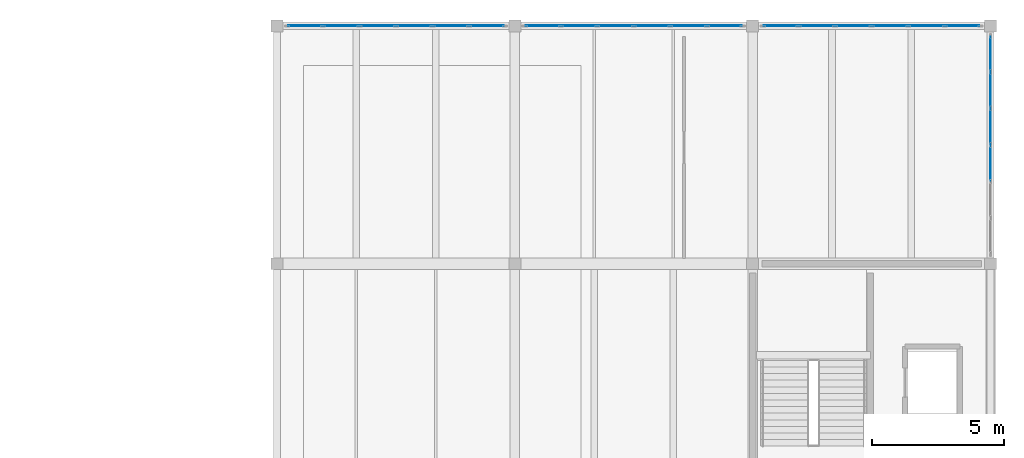
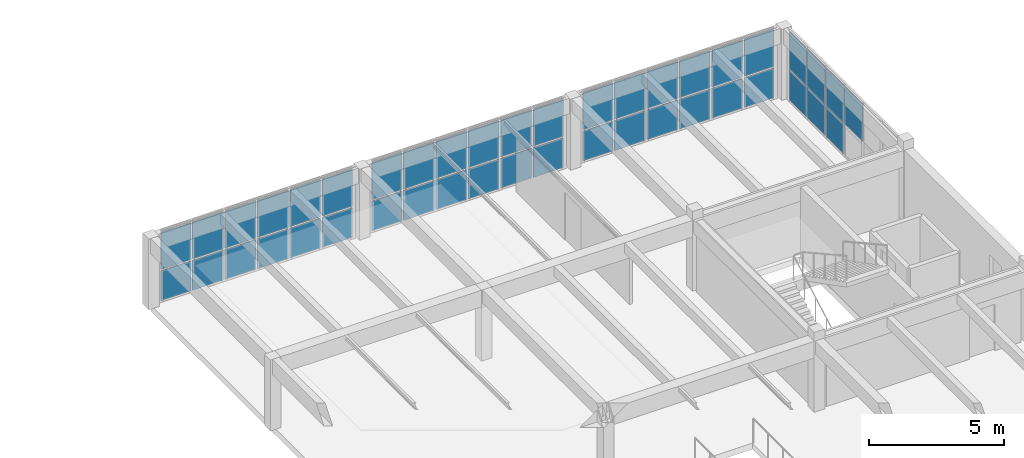
# One storey, part 64 of 80: 43 plates, 4 elements without a shape of their own.
"""IFC4 building model written with IfcOpenShell, lengths in metres."""

import ifcopenshell
import ifcopenshell.guid

model = None  # the IFC model being written
_history = None  # IfcOwnerHistory: only IFC2X3 demands one
_inside = {}  # id of a spatial element -> (the spatial element, [elements in it])
_under = {}  # id of a project, library or spatial element -> (it, [spatial elements below it])
_declared = {}  # id of a project -> (the project, [libraries it declares])
_typed = {}  # id of a type object -> (the type object, [elements of that type])
_made_of = {}  # id of a material, layer set ... -> (it, [elements and type objects made of it])


def new_model(schema):
    """Start an empty IFC model of exactly this schema.

    Asked for "IFC4X3", IfcOpenShell would pick the latest addendum, in which some entities
    have other attributes; the version numbers below select the first issue.
    IFC2X3 requires an IfcOwnerHistory on every rooted entity: one is made here for all.
    """
    global model, _history
    if schema == "IFC4X3":
        model = ifcopenshell.file(schema_version=(4, 3, 0, 0))
    else:
        model = ifcopenshell.file(schema=schema)
    _inside.clear()
    _under.clear()
    _declared.clear()
    _typed.clear()
    _made_of.clear()
    _history = None
    if model.schema == "IFC2X3":
        org = make("IfcOrganization", Name="unknown")
        user = make(
            "IfcPersonAndOrganization",
            ThePerson=make("IfcPerson", FamilyName="unknown"),
            TheOrganization=org,
        )
        app = make(
            "IfcApplication",
            ApplicationDeveloper=org,
            Version="unknown",
            ApplicationFullName="unknown",
            ApplicationIdentifier="unknown",
        )
        _history = make(
            "IfcOwnerHistory",
            OwningUser=user,
            OwningApplication=app,
            ChangeAction="ADDED",
            CreationDate=0,
        )
    return model


def make(cls, **values):
    """One entity of the class cls with the attributes given. An attribute that is None is left unset."""
    return model.create_entity(
        cls, **{name: value for name, value in values.items() if value is not None}
    )


def rooted(cls, **values):
    """An entity with a GlobalId (a new one), such as an element, a storey or a relation."""
    return make(cls, GlobalId=ifcopenshell.guid.new(), OwnerHistory=_history, **values)


def si_unit(unit_type, name, prefix=None):
    """IfcSIUnit, for example si_unit("LENGTHUNIT", "METRE", prefix="MILLI")."""
    return make("IfcSIUnit", UnitType=unit_type, Prefix=prefix, Name=name)


def assignment(units):
    """IfcUnitAssignment: the units of a project."""
    return None if units is None else make("IfcUnitAssignment", Units=units)


def point(xyz):
    """IfcCartesianPoint."""
    return None if xyz is None else make("IfcCartesianPoint", Coordinates=xyz)


def direction(xyz):
    """IfcDirection."""
    return None if xyz is None else make("IfcDirection", DirectionRatios=xyz)


def frame(location, z_axis=None, x_axis=None):
    """IfcAxis2Placement3D, a coordinate frame: its origin and axes. An axis left out is left unset."""
    return make(
        "IfcAxis2Placement3D",
        Location=point(location),
        Axis=direction(z_axis),
        RefDirection=direction(x_axis),
    )


def frame_2d(location, x_axis=None):
    """IfcAxis2Placement2D, a coordinate frame in the plane: its origin and x axis."""
    return make(
        "IfcAxis2Placement2D", Location=point(location), RefDirection=direction(x_axis)
    )


def origin():
    """The frame at (0, 0, 0) with its axes left unset."""
    return frame((0.0, 0.0, 0.0))


def origin_2d():
    """The frame at (0, 0) in the plane with its x axis left unset."""
    return frame_2d((0.0, 0.0))


def place(relative_to, where):
    """IfcLocalPlacement: puts the frame where relative to a parent placement (None: the world)."""
    return make(
        "IfcLocalPlacement", PlacementRelTo=relative_to, RelativePlacement=where
    )


def context(
    kind, dimensions, precision=None, world=None, true_north=None, identifier=None
):
    """IfcGeometricRepresentationContext, for example the 3D "Model" context."""
    return make(
        "IfcGeometricRepresentationContext",
        ContextIdentifier=identifier,
        ContextType=kind,
        CoordinateSpaceDimension=dimensions,
        Precision=precision,
        WorldCoordinateSystem=world,
        TrueNorth=true_north,
    )


def subcontext(parent, identifier, kind, view, scale=None):
    """IfcGeometricRepresentationSubContext, for example "Body" below "Model"."""
    return make(
        "IfcGeometricRepresentationSubContext",
        ContextIdentifier=identifier,
        ContextType=kind,
        ParentContext=parent,
        TargetScale=scale,
        TargetView=view,
    )


def project(units=None, contexts=None):
    """IfcProject with its units and contexts."""
    return rooted(
        "IfcProject",
        Name="project",
        RepresentationContexts=contexts,
        UnitsInContext=assignment(units),
    )


def spatial(cls, under=None, at=None, **own):
    """A site, building, storey or space (cls), placed at a placement, below another one or the project."""
    s = rooted(cls, ObjectPlacement=at, **own)
    if under is not None:
        _under.setdefault(under.id(), (under, []))[1].append(s)
    return s


def profile(cls, at=None, kind="AREA", **sizes):
    """A parametric profile (cls). Its sizes go by their IFC names, for example OverallWidth=200.0."""
    return make(cls, ProfileType=kind, Position=at, **sizes)


def rectangle(**sizes):
    """IfcRectangleProfileDef."""
    return profile("IfcRectangleProfileDef", **sizes)


def extrude(swept, where, along, depth):
    """IfcExtrudedAreaSolid: the profile swept, set in the frame where, extruded along a direction by depth."""
    return make(
        "IfcExtrudedAreaSolid",
        SweptArea=swept,
        Position=where,
        ExtrudedDirection=direction(along),
        Depth=depth,
    )


def shape(context_of_items, identifier, shape_type, items):
    """IfcShapeRepresentation: the items that make up one representation, for example the "Body"."""
    return make(
        "IfcShapeRepresentation",
        ContextOfItems=context_of_items,
        RepresentationIdentifier=identifier,
        RepresentationType=shape_type,
        Items=items,
    )


def material(Name=None, Category=None):
    """IfcMaterial."""
    return make("IfcMaterial", Name=Name, Category=Category)


def layer(
    of_material, thickness, ventilated=None, Name=None, Category=None, Priority=None
):
    """IfcMaterialLayer: one layer of a wall or slab, of a material (None: an air gap)."""
    return make(
        "IfcMaterialLayer",
        Material=of_material,
        LayerThickness=thickness,
        IsVentilated=ventilated,
        Name=Name,
        Category=Category,
        Priority=Priority,
    )


def layer_set(layers, Name=None):
    """IfcMaterialLayerSet."""
    return make("IfcMaterialLayerSet", MaterialLayers=layers, LayerSetName=Name)


def made_of(thing, what):
    """Note that an element or type object is made of a material, layer set ...; save() writes the relation."""
    if what is not None:
        _made_of.setdefault(what.id(), (what, []))[1].append(thing)
    return thing


def type_object(cls, material=None, **own):
    """A type object (cls), such as IfcWallType, which elements share."""
    return made_of(rooted(cls, **own), material)


def element(
    cls,
    number,
    at=None,
    inside=None,
    cuts=None,
    type_object=None,
    material=None,
    context=None,
    identifier="Body",
    shape_type=None,
    held_by="IfcProductDefinitionShape",
    body=None,
    shapes=None,
    **own,
):
    """One element of the class cls, such as IfcWall. Its Tag is "e" and its number.

    at: its placement. inside: the storey or other place that contains it. cuts: it is an
    opening in that element (IfcRelVoidsElement). A single representation is given by context,
    identifier, shape_type and body (its items); several are given by shapes. held_by: the class
    of the entity that holds the representations. save() writes the other relations.
    """
    e = rooted(cls, Tag="e%d" % number, ObjectPlacement=at, **own)
    if body is not None:
        shapes = [shape(context, identifier, shape_type, body)]
    if shapes is not None:
        e.Representation = make(held_by, Representations=shapes)
    if inside is not None:
        _inside.setdefault(inside.id(), (inside, []))[1].append(e)
    if cuts is not None:
        rooted(
            "IfcRelVoidsElement", RelatingBuildingElement=cuts, RelatedOpeningElement=e
        )
    if type_object is not None:
        _typed.setdefault(type_object.id(), (type_object, []))[1].append(e)
    return made_of(e, material)


def aggregate(whole, parts):
    """IfcRelAggregates: a whole, such as a stair, and the parts it consists of."""
    return rooted("IfcRelAggregates", RelatingObject=whole, RelatedObjects=parts)


def save(model, path):
    """Write the relations noted so far, then the file.

    IfcRelAggregates (storeys below a building ...), IfcRelContainedInSpatialStructure (elements
    in a storey), IfcRelDefinesByType, IfcRelAssociatesMaterial and IfcRelDeclares: one each for
    every whole, place, type object, material and project.
    """
    for whole, parts in _under.values():
        aggregate(whole, parts)
    for where, things in _inside.values():
        rooted(
            "IfcRelContainedInSpatialStructure",
            RelatedElements=things,
            RelatingStructure=where,
        )
    for kind, things in _typed.values():
        rooted("IfcRelDefinesByType", RelatedObjects=things, RelatingType=kind)
    for what, things in _made_of.values():
        rooted("IfcRelAssociatesMaterial", RelatedObjects=things, RelatingMaterial=what)
    for by, libraries in _declared.values():
        rooted("IfcRelDeclares", RelatingContext=by, RelatedDefinitions=libraries)
    model.write(path)


model = new_model("IFC4")

# Units and contexts
model_context = context("Model", 3, precision=1e-05, world=origin(), true_north=direction((0.0, 1.0)))
body_context = subcontext(model_context, "Body", "Model", "MODEL_VIEW")
ifc_project = project(units=[si_unit("LENGTHUNIT", "METRE"), si_unit("AREAUNIT", "SQUARE_METRE"), si_unit("VOLUMEUNIT", "CUBIC_METRE"), si_unit("PLANEANGLEUNIT", "RADIAN"), si_unit("MASSUNIT", "GRAM", prefix="KILO")], contexts=[model_context])

# Site, building, storey
site_placement = place(None, origin())
site = spatial("IfcSite", under=ifc_project, at=site_placement, CompositionType="ELEMENT")
building_placement = place(site_placement, origin())
building = spatial("IfcBuilding", under=site, at=building_placement, Name="Ornek Quay Market", CompositionType="ELEMENT")
storey_placement = place(building_placement, frame((0.0, 0.0, 8.39990234375)))
storey = spatial("IfcBuildingStorey", under=building, at=storey_placement, Name="L02", CompositionType="ELEMENT", Elevation=8.39990234375)

# Curtain wall, plates
ifc_material_1 = material(Name="Anodised bronze aluminium and triple low-e glass", Category="aluminium")
ifc_layer_1 = layer(ifc_material_1, 0.18994140625, Name="Anodised bronze aluminium and triple low-e glass", Category="aluminium")
ifc_layer_set_1 = layer_set([ifc_layer_1], Name="Anodised bronze aluminium and triple low-e glass")
curtain_wall_type = type_object("IfcCurtainWallType", Name="CW-FC-MOD1500", PredefinedType="USERDEFINED", material=ifc_layer_set_1)
curtain_wall_1_placement = place(storey_placement, origin())
curtain_wall_1 = element("IfcCurtainWall", 1, at=curtain_wall_1_placement, inside=storey, type_object=curtain_wall_type, Name="Curtain wall CW-088", ObjectType="CURTAIN WALL", PredefinedType="USERDEFINED")
ifc_material_2 = material(Name="Triple insulated low-e glass", Category="glass")
ifc_layer_2 = layer(ifc_material_2, 0.035888671875, Name="Triple insulated low-e glass", Category="glass")
ifc_layer_set_2 = layer_set([ifc_layer_2], Name="Triple insulated low-e glass")
plate_type = type_object("IfcPlateType", Name="PL-CW-TRIPLE-36", PredefinedType="CURTAIN_PANEL", material=ifc_layer_set_2)
plate_1_placement = place(storey_placement, frame((154.05908203125, 110.0, 0.06494140625), z_axis=(0.0, 0.0, 1.0), x_axis=(1.0, 0.0, 0.0)))
plate_1 = element("IfcPlate", 2, at=plate_1_placement, type_object=plate_type, Name="CW-088 panel 1.1", PredefinedType="CURTAIN_PANEL", context=body_context, shape_type="SweptSolid", body=[
    extrude(rectangle(XDim=1.2783203125, YDim=0.035888671875, at=origin_2d()), origin(), (0.0, 0.0, 1.0), 1.342529296875),
])
plate_2_placement = place(storey_placement, frame((154.05908203125, 110.0, 1.47265625), z_axis=(0.0, 0.0, 1.0), x_axis=(1.0, 0.0, 0.0)))
plate_2 = element("IfcPlate", 3, at=plate_2_placement, type_object=plate_type, Name="CW-088 panel 1.2", PredefinedType="CURTAIN_PANEL", context=body_context, shape_type="SweptSolid", body=[
    extrude(rectangle(XDim=1.2783203125, YDim=0.035888671875, at=origin_2d()), origin(), (0.0, 0.0, 1.0), 1.66259765625),
])
plate_3_placement = place(storey_placement, frame((155.425048828125, 110.0, 0.06494140625), z_axis=(0.0, 0.0, 1.0), x_axis=(1.0, 0.0, 0.0)))
plate_3 = element("IfcPlate", 4, at=plate_3_placement, type_object=plate_type, Name="CW-088 panel 2.1", PredefinedType="CURTAIN_PANEL", context=body_context, shape_type="SweptSolid", body=[
    extrude(rectangle(XDim=1.313232421875, YDim=0.035888671875, at=origin_2d()), origin(), (0.0, 0.0, 1.0), 1.342529296875),
])
plate_4_placement = place(storey_placement, frame((155.425048828125, 110.0, 1.47265625), z_axis=(0.0, 0.0, 1.0), x_axis=(1.0, 0.0, 0.0)))
plate_4 = element("IfcPlate", 5, at=plate_4_placement, type_object=plate_type, Name="CW-088 panel 2.2", PredefinedType="CURTAIN_PANEL", context=body_context, shape_type="SweptSolid", body=[
    extrude(rectangle(XDim=1.313232421875, YDim=0.035888671875, at=origin_2d()), origin(), (0.0, 0.0, 1.0), 1.66259765625),
])
plate_5_placement = place(storey_placement, frame((156.808349609375, 110.0, 0.06494140625), z_axis=(0.0, 0.0, 1.0), x_axis=(1.0, 0.0, 0.0)))
plate_5 = element("IfcPlate", 6, at=plate_5_placement, type_object=plate_type, Name="CW-088 panel 3.1", PredefinedType="CURTAIN_PANEL", context=body_context, shape_type="SweptSolid", body=[
    extrude(rectangle(XDim=1.313232421875, YDim=0.035888671875, at=origin_2d()), origin(), (0.0, 0.0, 1.0), 1.342529296875),
])
plate_6_placement = place(storey_placement, frame((156.808349609375, 110.0, 1.47265625), z_axis=(0.0, 0.0, 1.0), x_axis=(1.0, 0.0, 0.0)))
plate_6 = element("IfcPlate", 7, at=plate_6_placement, type_object=plate_type, Name="CW-088 panel 3.2", PredefinedType="CURTAIN_PANEL", context=body_context, shape_type="SweptSolid", body=[
    extrude(rectangle(XDim=1.313232421875, YDim=0.035888671875, at=origin_2d()), origin(), (0.0, 0.0, 1.0), 1.66259765625),
])
plate_7_placement = place(storey_placement, frame((158.191650390625, 110.0, 0.06494140625), z_axis=(0.0, 0.0, 1.0), x_axis=(1.0, 0.0, 0.0)))
plate_7 = element("IfcPlate", 8, at=plate_7_placement, type_object=plate_type, Name="CW-088 panel 4.1", PredefinedType="CURTAIN_PANEL", context=body_context, shape_type="SweptSolid", body=[
    extrude(rectangle(XDim=1.313232421875, YDim=0.035888671875, at=origin_2d()), origin(), (0.0, 0.0, 1.0), 1.342529296875),
])
plate_8_placement = place(storey_placement, frame((158.191650390625, 110.0, 1.47265625), z_axis=(0.0, 0.0, 1.0), x_axis=(1.0, 0.0, 0.0)))
plate_8 = element("IfcPlate", 9, at=plate_8_placement, type_object=plate_type, Name="CW-088 panel 4.2", PredefinedType="CURTAIN_PANEL", context=body_context, shape_type="SweptSolid", body=[
    extrude(rectangle(XDim=1.313232421875, YDim=0.035888671875, at=origin_2d()), origin(), (0.0, 0.0, 1.0), 1.66259765625),
])
plate_9_placement = place(storey_placement, frame((159.574951171875, 110.0, 0.06494140625), z_axis=(0.0, 0.0, 1.0), x_axis=(1.0, 0.0, 0.0)))
plate_9 = element("IfcPlate", 10, at=plate_9_placement, type_object=plate_type, Name="CW-088 panel 5.1", PredefinedType="CURTAIN_PANEL", context=body_context, shape_type="SweptSolid", body=[
    extrude(rectangle(XDim=1.313232421875, YDim=0.035888671875, at=origin_2d()), origin(), (0.0, 0.0, 1.0), 1.342529296875),
])
plate_10_placement = place(storey_placement, frame((159.574951171875, 110.0, 1.47265625), z_axis=(0.0, 0.0, 1.0), x_axis=(1.0, 0.0, 0.0)))
plate_10 = element("IfcPlate", 11, at=plate_10_placement, type_object=plate_type, Name="CW-088 panel 5.2", PredefinedType="CURTAIN_PANEL", context=body_context, shape_type="SweptSolid", body=[
    extrude(rectangle(XDim=1.313232421875, YDim=0.035888671875, at=origin_2d()), origin(), (0.0, 0.0, 1.0), 1.66259765625),
])
plate_11_placement = place(storey_placement, frame((160.94091796875, 110.0, 0.06494140625), z_axis=(0.0, 0.0, 1.0), x_axis=(1.0, 0.0, 0.0)))
plate_11 = element("IfcPlate", 12, at=plate_11_placement, type_object=plate_type, Name="CW-088 panel 6.1", PredefinedType="CURTAIN_PANEL", context=body_context, shape_type="SweptSolid", body=[
    extrude(rectangle(XDim=1.2783203125, YDim=0.035888671875, at=origin_2d()), origin(), (0.0, 0.0, 1.0), 1.342529296875),
])
plate_12_placement = place(storey_placement, frame((160.94091796875, 110.0, 1.47265625), z_axis=(0.0, 0.0, 1.0), x_axis=(1.0, 0.0, 0.0)))
plate_12 = element("IfcPlate", 13, at=plate_12_placement, type_object=plate_type, Name="CW-088 panel 6.2", PredefinedType="CURTAIN_PANEL", context=body_context, shape_type="SweptSolid", body=[
    extrude(rectangle(XDim=1.2783203125, YDim=0.035888671875, at=origin_2d()), origin(), (0.0, 0.0, 1.0), 1.66259765625),
])
aggregate(curtain_wall_1, [plate_1, plate_2, plate_3, plate_4, plate_5, plate_6, plate_7, plate_8, plate_9, plate_10, plate_11, plate_12])

curtain_wall_2_placement = place(storey_placement, origin())
curtain_wall_2 = element("IfcCurtainWall", 14, at=curtain_wall_2_placement, inside=storey, type_object=curtain_wall_type, Name="Curtain wall CW-089", ObjectType="CURTAIN WALL", PredefinedType="USERDEFINED")
plate_13_placement = place(storey_placement, frame((163.05908203125, 110.0, 0.06494140625), z_axis=(0.0, 0.0, 1.0), x_axis=(1.0, 0.0, 0.0)))
plate_13 = element("IfcPlate", 15, at=plate_13_placement, type_object=plate_type, Name="CW-089 panel 1.1", PredefinedType="CURTAIN_PANEL", context=body_context, shape_type="SweptSolid", body=[
    extrude(rectangle(XDim=1.2783203125, YDim=0.035888671875, at=origin_2d()), origin(), (0.0, 0.0, 1.0), 1.342529296875),
])
plate_14_placement = place(storey_placement, frame((163.05908203125, 110.0, 1.47265625), z_axis=(0.0, 0.0, 1.0), x_axis=(1.0, 0.0, 0.0)))
plate_14 = element("IfcPlate", 16, at=plate_14_placement, type_object=plate_type, Name="CW-089 panel 1.2", PredefinedType="CURTAIN_PANEL", context=body_context, shape_type="SweptSolid", body=[
    extrude(rectangle(XDim=1.2783203125, YDim=0.035888671875, at=origin_2d()), origin(), (0.0, 0.0, 1.0), 1.66259765625),
])
plate_15_placement = place(storey_placement, frame((164.425048828125, 110.0, 0.06494140625), z_axis=(0.0, 0.0, 1.0), x_axis=(1.0, 0.0, 0.0)))
plate_15 = element("IfcPlate", 17, at=plate_15_placement, type_object=plate_type, Name="CW-089 panel 2.1", PredefinedType="CURTAIN_PANEL", context=body_context, shape_type="SweptSolid", body=[
    extrude(rectangle(XDim=1.313232421875, YDim=0.035888671875, at=origin_2d()), origin(), (0.0, 0.0, 1.0), 1.342529296875),
])
plate_16_placement = place(storey_placement, frame((164.425048828125, 110.0, 1.47265625), z_axis=(0.0, 0.0, 1.0), x_axis=(1.0, 0.0, 0.0)))
plate_16 = element("IfcPlate", 18, at=plate_16_placement, type_object=plate_type, Name="CW-089 panel 2.2", PredefinedType="CURTAIN_PANEL", context=body_context, shape_type="SweptSolid", body=[
    extrude(rectangle(XDim=1.313232421875, YDim=0.035888671875, at=origin_2d()), origin(), (0.0, 0.0, 1.0), 1.66259765625),
])
plate_17_placement = place(storey_placement, frame((165.808349609375, 110.0, 0.06494140625), z_axis=(0.0, 0.0, 1.0), x_axis=(1.0, 0.0, 0.0)))
plate_17 = element("IfcPlate", 19, at=plate_17_placement, type_object=plate_type, Name="CW-089 panel 3.1", PredefinedType="CURTAIN_PANEL", context=body_context, shape_type="SweptSolid", body=[
    extrude(rectangle(XDim=1.313232421875, YDim=0.035888671875, at=origin_2d()), origin(), (0.0, 0.0, 1.0), 1.342529296875),
])
plate_18_placement = place(storey_placement, frame((165.808349609375, 110.0, 1.47265625), z_axis=(0.0, 0.0, 1.0), x_axis=(1.0, 0.0, 0.0)))
plate_18 = element("IfcPlate", 20, at=plate_18_placement, type_object=plate_type, Name="CW-089 panel 3.2", PredefinedType="CURTAIN_PANEL", context=body_context, shape_type="SweptSolid", body=[
    extrude(rectangle(XDim=1.313232421875, YDim=0.035888671875, at=origin_2d()), origin(), (0.0, 0.0, 1.0), 1.66259765625),
])
plate_19_placement = place(storey_placement, frame((167.191650390625, 110.0, 0.06494140625), z_axis=(0.0, 0.0, 1.0), x_axis=(1.0, 0.0, 0.0)))
plate_19 = element("IfcPlate", 21, at=plate_19_placement, type_object=plate_type, Name="CW-089 panel 4.1", PredefinedType="CURTAIN_PANEL", context=body_context, shape_type="SweptSolid", body=[
    extrude(rectangle(XDim=1.313232421875, YDim=0.035888671875, at=origin_2d()), origin(), (0.0, 0.0, 1.0), 1.342529296875),
])
plate_20_placement = place(storey_placement, frame((167.191650390625, 110.0, 1.47265625), z_axis=(0.0, 0.0, 1.0), x_axis=(1.0, 0.0, 0.0)))
plate_20 = element("IfcPlate", 22, at=plate_20_placement, type_object=plate_type, Name="CW-089 panel 4.2", PredefinedType="CURTAIN_PANEL", context=body_context, shape_type="SweptSolid", body=[
    extrude(rectangle(XDim=1.313232421875, YDim=0.035888671875, at=origin_2d()), origin(), (0.0, 0.0, 1.0), 1.66259765625),
])
plate_21_placement = place(storey_placement, frame((168.574951171875, 110.0, 0.06494140625), z_axis=(0.0, 0.0, 1.0), x_axis=(1.0, 0.0, 0.0)))
plate_21 = element("IfcPlate", 23, at=plate_21_placement, type_object=plate_type, Name="CW-089 panel 5.1", PredefinedType="CURTAIN_PANEL", context=body_context, shape_type="SweptSolid", body=[
    extrude(rectangle(XDim=1.313232421875, YDim=0.035888671875, at=origin_2d()), origin(), (0.0, 0.0, 1.0), 1.342529296875),
])
plate_22_placement = place(storey_placement, frame((168.574951171875, 110.0, 1.47265625), z_axis=(0.0, 0.0, 1.0), x_axis=(1.0, 0.0, 0.0)))
plate_22 = element("IfcPlate", 24, at=plate_22_placement, type_object=plate_type, Name="CW-089 panel 5.2", PredefinedType="CURTAIN_PANEL", context=body_context, shape_type="SweptSolid", body=[
    extrude(rectangle(XDim=1.313232421875, YDim=0.035888671875, at=origin_2d()), origin(), (0.0, 0.0, 1.0), 1.66259765625),
])
plate_23_placement = place(storey_placement, frame((169.94091796875, 110.0, 0.06494140625), z_axis=(0.0, 0.0, 1.0), x_axis=(1.0, 0.0, 0.0)))
plate_23 = element("IfcPlate", 25, at=plate_23_placement, type_object=plate_type, Name="CW-089 panel 6.1", PredefinedType="CURTAIN_PANEL", context=body_context, shape_type="SweptSolid", body=[
    extrude(rectangle(XDim=1.2783203125, YDim=0.035888671875, at=origin_2d()), origin(), (0.0, 0.0, 1.0), 1.342529296875),
])
plate_24_placement = place(storey_placement, frame((169.94091796875, 110.0, 1.47265625), z_axis=(0.0, 0.0, 1.0), x_axis=(1.0, 0.0, 0.0)))
plate_24 = element("IfcPlate", 26, at=plate_24_placement, type_object=plate_type, Name="CW-089 panel 6.2", PredefinedType="CURTAIN_PANEL", context=body_context, shape_type="SweptSolid", body=[
    extrude(rectangle(XDim=1.2783203125, YDim=0.035888671875, at=origin_2d()), origin(), (0.0, 0.0, 1.0), 1.66259765625),
])
aggregate(curtain_wall_2, [plate_13, plate_14, plate_15, plate_16, plate_17, plate_18, plate_19, plate_20, plate_21, plate_22, plate_23, plate_24])

curtain_wall_3_placement = place(storey_placement, origin())
curtain_wall_3 = element("IfcCurtainWall", 27, at=curtain_wall_3_placement, inside=storey, type_object=curtain_wall_type, Name="Curtain wall CW-090", ObjectType="CURTAIN WALL", PredefinedType="USERDEFINED")
plate_25_placement = place(storey_placement, frame((172.05908203125, 110.0, 0.06494140625), z_axis=(0.0, 0.0, 1.0), x_axis=(1.0, 0.0, 0.0)))
plate_25 = element("IfcPlate", 28, at=plate_25_placement, type_object=plate_type, Name="CW-090 panel 1.1", PredefinedType="CURTAIN_PANEL", context=body_context, shape_type="SweptSolid", body=[
    extrude(rectangle(XDim=1.2783203125, YDim=0.035888671875, at=origin_2d()), origin(), (0.0, 0.0, 1.0), 1.342529296875),
])
plate_26_placement = place(storey_placement, frame((172.05908203125, 110.0, 1.47265625), z_axis=(0.0, 0.0, 1.0), x_axis=(1.0, 0.0, 0.0)))
plate_26 = element("IfcPlate", 29, at=plate_26_placement, type_object=plate_type, Name="CW-090 panel 1.2", PredefinedType="CURTAIN_PANEL", context=body_context, shape_type="SweptSolid", body=[
    extrude(rectangle(XDim=1.2783203125, YDim=0.035888671875, at=origin_2d()), origin(), (0.0, 0.0, 1.0), 1.66259765625),
])
plate_27_placement = place(storey_placement, frame((173.425048828125, 110.0, 0.06494140625), z_axis=(0.0, 0.0, 1.0), x_axis=(1.0, 0.0, 0.0)))
plate_27 = element("IfcPlate", 30, at=plate_27_placement, type_object=plate_type, Name="CW-090 panel 2.1", PredefinedType="CURTAIN_PANEL", context=body_context, shape_type="SweptSolid", body=[
    extrude(rectangle(XDim=1.313232421875, YDim=0.035888671875, at=origin_2d()), origin(), (0.0, 0.0, 1.0), 1.342529296875),
])
plate_28_placement = place(storey_placement, frame((173.425048828125, 110.0, 1.47265625), z_axis=(0.0, 0.0, 1.0), x_axis=(1.0, 0.0, 0.0)))
plate_28 = element("IfcPlate", 31, at=plate_28_placement, type_object=plate_type, Name="CW-090 panel 2.2", PredefinedType="CURTAIN_PANEL", context=body_context, shape_type="SweptSolid", body=[
    extrude(rectangle(XDim=1.313232421875, YDim=0.035888671875, at=origin_2d()), origin(), (0.0, 0.0, 1.0), 1.66259765625),
])
plate_29_placement = place(storey_placement, frame((174.808349609375, 110.0, 0.06494140625), z_axis=(0.0, 0.0, 1.0), x_axis=(1.0, 0.0, 0.0)))
plate_29 = element("IfcPlate", 32, at=plate_29_placement, type_object=plate_type, Name="CW-090 panel 3.1", PredefinedType="CURTAIN_PANEL", context=body_context, shape_type="SweptSolid", body=[
    extrude(rectangle(XDim=1.313232421875, YDim=0.035888671875, at=origin_2d()), origin(), (0.0, 0.0, 1.0), 1.342529296875),
])
plate_30_placement = place(storey_placement, frame((174.808349609375, 110.0, 1.47265625), z_axis=(0.0, 0.0, 1.0), x_axis=(1.0, 0.0, 0.0)))
plate_30 = element("IfcPlate", 33, at=plate_30_placement, type_object=plate_type, Name="CW-090 panel 3.2", PredefinedType="CURTAIN_PANEL", context=body_context, shape_type="SweptSolid", body=[
    extrude(rectangle(XDim=1.313232421875, YDim=0.035888671875, at=origin_2d()), origin(), (0.0, 0.0, 1.0), 1.66259765625),
])
plate_31_placement = place(storey_placement, frame((176.191650390625, 110.0, 0.06494140625), z_axis=(0.0, 0.0, 1.0), x_axis=(1.0, 0.0, 0.0)))
plate_31 = element("IfcPlate", 34, at=plate_31_placement, type_object=plate_type, Name="CW-090 panel 4.1", PredefinedType="CURTAIN_PANEL", context=body_context, shape_type="SweptSolid", body=[
    extrude(rectangle(XDim=1.313232421875, YDim=0.035888671875, at=origin_2d()), origin(), (0.0, 0.0, 1.0), 1.342529296875),
])
plate_32_placement = place(storey_placement, frame((176.191650390625, 110.0, 1.47265625), z_axis=(0.0, 0.0, 1.0), x_axis=(1.0, 0.0, 0.0)))
plate_32 = element("IfcPlate", 35, at=plate_32_placement, type_object=plate_type, Name="CW-090 panel 4.2", PredefinedType="CURTAIN_PANEL", context=body_context, shape_type="SweptSolid", body=[
    extrude(rectangle(XDim=1.313232421875, YDim=0.035888671875, at=origin_2d()), origin(), (0.0, 0.0, 1.0), 1.66259765625),
])
plate_33_placement = place(storey_placement, frame((177.574951171875, 110.0, 0.06494140625), z_axis=(0.0, 0.0, 1.0), x_axis=(1.0, 0.0, 0.0)))
plate_33 = element("IfcPlate", 36, at=plate_33_placement, type_object=plate_type, Name="CW-090 panel 5.1", PredefinedType="CURTAIN_PANEL", context=body_context, shape_type="SweptSolid", body=[
    extrude(rectangle(XDim=1.313232421875, YDim=0.035888671875, at=origin_2d()), origin(), (0.0, 0.0, 1.0), 1.342529296875),
])
plate_34_placement = place(storey_placement, frame((177.574951171875, 110.0, 1.47265625), z_axis=(0.0, 0.0, 1.0), x_axis=(1.0, 0.0, 0.0)))
plate_34 = element("IfcPlate", 37, at=plate_34_placement, type_object=plate_type, Name="CW-090 panel 5.2", PredefinedType="CURTAIN_PANEL", context=body_context, shape_type="SweptSolid", body=[
    extrude(rectangle(XDim=1.313232421875, YDim=0.035888671875, at=origin_2d()), origin(), (0.0, 0.0, 1.0), 1.66259765625),
])
plate_35_placement = place(storey_placement, frame((178.94091796875, 110.0, 0.06494140625), z_axis=(0.0, 0.0, 1.0), x_axis=(1.0, 0.0, 0.0)))
plate_35 = element("IfcPlate", 38, at=plate_35_placement, type_object=plate_type, Name="CW-090 panel 6.1", PredefinedType="CURTAIN_PANEL", context=body_context, shape_type="SweptSolid", body=[
    extrude(rectangle(XDim=1.2783203125, YDim=0.035888671875, at=origin_2d()), origin(), (0.0, 0.0, 1.0), 1.342529296875),
])
plate_36_placement = place(storey_placement, frame((178.94091796875, 110.0, 1.47265625), z_axis=(0.0, 0.0, 1.0), x_axis=(1.0, 0.0, 0.0)))
plate_36 = element("IfcPlate", 39, at=plate_36_placement, type_object=plate_type, Name="CW-090 panel 6.2", PredefinedType="CURTAIN_PANEL", context=body_context, shape_type="SweptSolid", body=[
    extrude(rectangle(XDim=1.2783203125, YDim=0.035888671875, at=origin_2d()), origin(), (0.0, 0.0, 1.0), 1.66259765625),
])
aggregate(curtain_wall_3, [plate_25, plate_26, plate_27, plate_28, plate_29, plate_30, plate_31, plate_32, plate_33, plate_34, plate_35, plate_36])

curtain_wall_4_placement = place(storey_placement, origin())
curtain_wall_4 = element("IfcCurtainWall", 40, at=curtain_wall_4_placement, inside=storey, type_object=curtain_wall_type, Name="Curtain wall CW-092", ObjectType="CURTAIN WALL", PredefinedType="USERDEFINED")
plate_37_placement = place(storey_placement, frame((180.0, 104.808349609375, 1.47265625), z_axis=(0.0, 0.0, 1.0), x_axis=(0.0, 1.0, 0.0)))
plate_37 = element("IfcPlate", 41, at=plate_37_placement, type_object=plate_type, Name="CW-092 panel 3.2", PredefinedType="CURTAIN_PANEL", context=body_context, shape_type="SweptSolid", body=[
    extrude(rectangle(XDim=1.318359375, YDim=0.035888671875, at=origin_2d()), origin(), (0.0, 0.0, 1.0), 1.66259765625),
])
plate_38_placement = place(storey_placement, frame((180.0, 106.191650390625, 0.06494140625), z_axis=(0.0, 0.0, 1.0), x_axis=(0.0, 1.0, 0.0)))
plate_38 = element("IfcPlate", 42, at=plate_38_placement, type_object=plate_type, Name="CW-092 panel 4.1", PredefinedType="CURTAIN_PANEL", context=body_context, shape_type="SweptSolid", body=[
    extrude(rectangle(XDim=1.318359375, YDim=0.035888671875, at=origin_2d()), origin(), (0.0, 0.0, 1.0), 1.342529296875),
])
plate_39_placement = place(storey_placement, frame((180.0, 106.191650390625, 1.47265625), z_axis=(0.0, 0.0, 1.0), x_axis=(0.0, 1.0, 0.0)))
plate_39 = element("IfcPlate", 43, at=plate_39_placement, type_object=plate_type, Name="CW-092 panel 4.2", PredefinedType="CURTAIN_PANEL", context=body_context, shape_type="SweptSolid", body=[
    extrude(rectangle(XDim=1.318359375, YDim=0.035888671875, at=origin_2d()), origin(), (0.0, 0.0, 1.0), 1.66259765625),
])
plate_40_placement = place(storey_placement, frame((180.0, 107.574951171875, 0.06494140625), z_axis=(0.0, 0.0, 1.0), x_axis=(0.0, 1.0, 0.0)))
plate_40 = element("IfcPlate", 44, at=plate_40_placement, type_object=plate_type, Name="CW-092 panel 5.1", PredefinedType="CURTAIN_PANEL", context=body_context, shape_type="SweptSolid", body=[
    extrude(rectangle(XDim=1.318359375, YDim=0.035888671875, at=origin_2d()), origin(), (0.0, 0.0, 1.0), 1.342529296875),
])
plate_41_placement = place(storey_placement, frame((180.0, 107.574951171875, 1.47265625), z_axis=(0.0, 0.0, 1.0), x_axis=(0.0, 1.0, 0.0)))
plate_41 = element("IfcPlate", 45, at=plate_41_placement, type_object=plate_type, Name="CW-092 panel 5.2", PredefinedType="CURTAIN_PANEL", context=body_context, shape_type="SweptSolid", body=[
    extrude(rectangle(XDim=1.318359375, YDim=0.035888671875, at=origin_2d()), origin(), (0.0, 0.0, 1.0), 1.66259765625),
])
plate_42_placement = place(storey_placement, frame((180.0, 108.942138671875, 0.06494140625), z_axis=(0.0, 0.0, 1.0), x_axis=(0.0, 1.0, 0.0)))
plate_42 = element("IfcPlate", 46, at=plate_42_placement, type_object=plate_type, Name="CW-092 panel 6.1", PredefinedType="CURTAIN_PANEL", context=body_context, shape_type="SweptSolid", body=[
    extrude(rectangle(XDim=1.285888671875, YDim=0.035888671875, at=origin_2d()), origin(), (0.0, 0.0, 1.0), 1.342529296875),
])
plate_43_placement = place(storey_placement, frame((180.0, 108.942138671875, 1.47265625), z_axis=(0.0, 0.0, 1.0), x_axis=(0.0, 1.0, 0.0)))
plate_43 = element("IfcPlate", 47, at=plate_43_placement, type_object=plate_type, Name="CW-092 panel 6.2", PredefinedType="CURTAIN_PANEL", context=body_context, shape_type="SweptSolid", body=[
    extrude(rectangle(XDim=1.285888671875, YDim=0.035888671875, at=origin_2d()), origin(), (0.0, 0.0, 1.0), 1.66259765625),
])
aggregate(curtain_wall_4, [plate_37, plate_38, plate_39, plate_40, plate_41, plate_42, plate_43])

save(model, "model.ifc")
